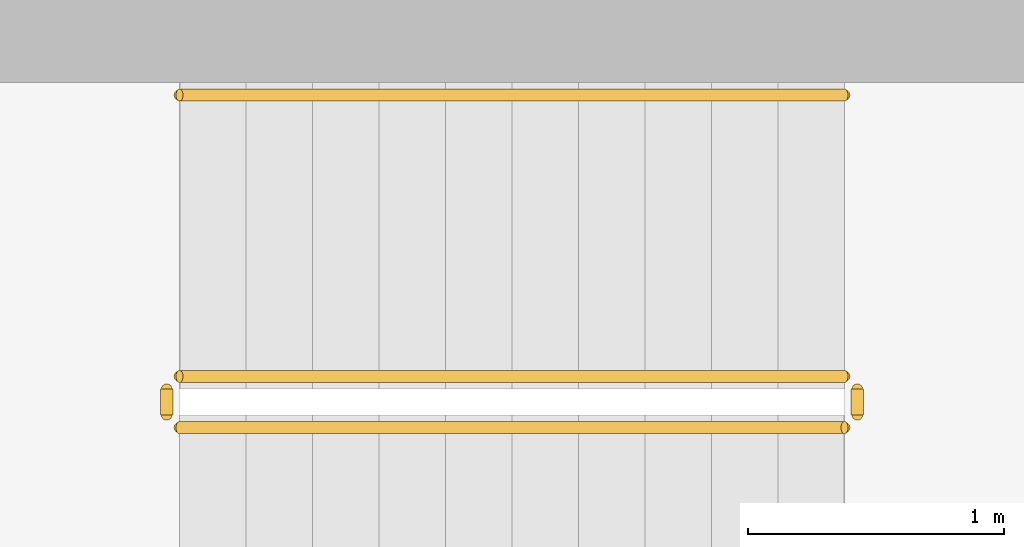
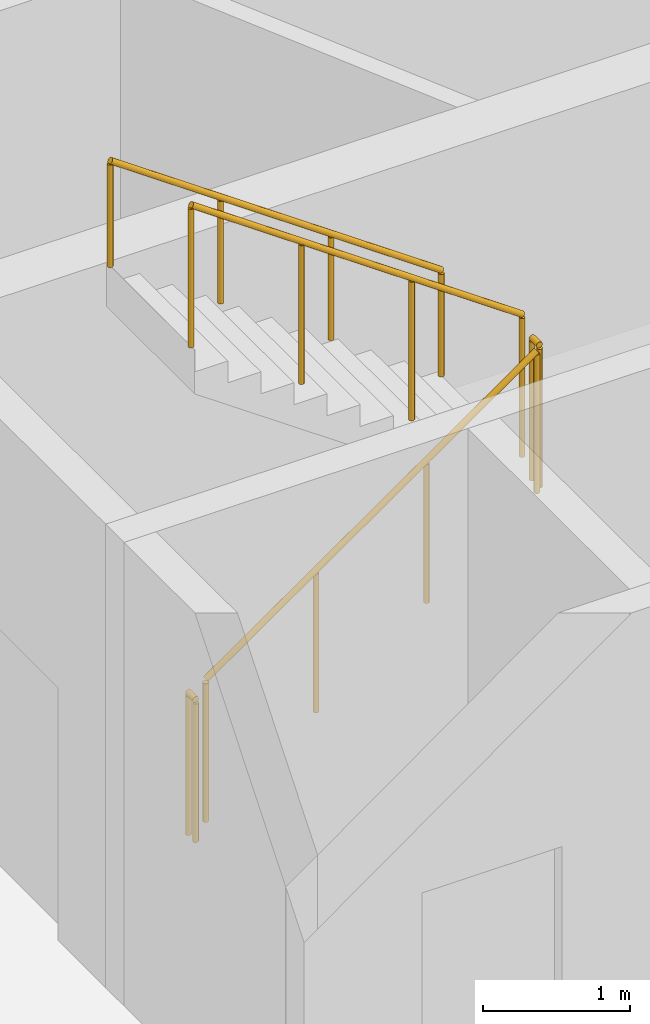
# One storey, part 15 of 18: 5 railings.
"""IFC4 building model written with IfcOpenShell, lengths in metres."""

from ifc_helpers import new_model, si_unit, direction, frame, origin, origin_2d, place, context, subcontext, project, spatial, circle, extrude, material, type_object, element, save


model = new_model("IFC4")

# Units and contexts
model_context = context("Model", 3, precision=1e-05, world=origin(), true_north=direction((0.0, 1.0)))
body_context = subcontext(model_context, "Body", "Model", "MODEL_VIEW")
ifc_project = project(units=[si_unit("LENGTHUNIT", "METRE"), si_unit("AREAUNIT", "SQUARE_METRE"), si_unit("VOLUMEUNIT", "CUBIC_METRE"), si_unit("PLANEANGLEUNIT", "RADIAN"), si_unit("MASSUNIT", "GRAM", prefix="KILO")], contexts=[model_context])

# Site, building, storey
site_placement = place(None, origin())
site = spatial("IfcSite", under=ifc_project, at=site_placement, CompositionType="ELEMENT")
building_placement = place(site_placement, origin())
building = spatial("IfcBuilding", under=site, at=building_placement, Name="Sahrelin Media Tower", CompositionType="ELEMENT")
storey_placement = place(building_placement, frame((0.0, 0.0, 316.39990234375)))
storey = spatial("IfcBuildingStorey", under=building, at=storey_placement, Name="L70", CompositionType="ELEMENT", Elevation=316.39990234375)

# Railings
ifc_material = material(Name="Steel S355", Category="steel")
railing_type_1 = type_object("IfcRailingType", Name="Stair guard 1200", PredefinedType="GUARDRAIL", material=ifc_material)
railing_1_placement = place(storey_placement, frame((-7.675048828125, 5.25, 0.181884765625)))
element("IfcRailing", 1, at=railing_1_placement, inside=storey, type_object=railing_type_1, Name="L70 ST1 stair guard 1", PredefinedType="GUARDRAIL", context=body_context, shape_type="SweptSolid", body=[
    extrude(circle(Radius=0.02392578125, at=origin_2d()), frame((0.0, 0.0, 1.17578125), z_axis=(0.819521025635, 0.0, 0.573049115296), x_axis=(0.0, 1.0, 0.0)), (0.0, 0.0, 1.0), 3.172607421875),
    extrude(circle(Radius=0.02099609375, at=origin_2d()), origin(), (0.0, 0.0, 1.0), 1.15185546875),
    extrude(circle(Radius=0.02099609375, at=origin_2d()), frame((0.86669921875, 0.0, 0.60595703125)), (0.0, 0.0, 1.0), 1.15185546875),
    extrude(circle(Radius=0.02099609375, at=origin_2d()), frame((1.7333984375, 0.0, 1.212158203125)), (0.0, 0.0, 1.0), 1.15185546875),
    extrude(circle(Radius=0.02099609375, at=origin_2d()), frame((2.60009765625, 0.0, 1.818115234375)), (0.0, 0.0, 1.0), 1.15185546875),
])
railing_2_placement = place(storey_placement, frame((-5.02490234375, 5.300048828125, 2.0)))
element("IfcRailing", 2, at=railing_2_placement, inside=storey, type_object=railing_type_1, Name="L70 ST1 stair guard 2", PredefinedType="GUARDRAIL", context=body_context, shape_type="SweptSolid", body=[
    extrude(circle(Radius=0.02392578125, at=origin_2d()), frame((0.0, 0.0, 1.17578125), z_axis=(0.0, 1.0, 0.0), x_axis=(-1.0, 0.0, 0.0)), (0.0, 0.0, 1.0), 0.099853515625),
    extrude(circle(Radius=0.02099609375, at=origin_2d()), origin(), (0.0, 0.0, 1.0), 1.15185546875),
    extrude(circle(Radius=0.02099609375, at=origin_2d()), frame((0.0, 0.099853515625, 0.0)), (0.0, 0.0, 1.0), 1.15185546875),
])
railing_3_placement = place(storey_placement, frame((-5.074951171875, 5.449951171875, 2.181884765625)))
element("IfcRailing", 3, at=railing_3_placement, inside=storey, type_object=railing_type_1, Name="L70 ST1 stair guard 3", PredefinedType="GUARDRAIL", context=body_context, shape_type="SweptSolid", body=[
    extrude(circle(Radius=0.02392578125, at=origin_2d()), frame((0.0, 0.0, 1.17578125), z_axis=(-0.819521025635, 0.0, 0.573049115296), x_axis=(0.0, -1.0, 0.0)), (0.0, 0.0, 1.0), 3.172607421875),
    extrude(circle(Radius=0.02099609375, at=origin_2d()), origin(), (0.0, 0.0, 1.0), 1.15185546875),
    extrude(circle(Radius=0.02099609375, at=origin_2d()), frame((-0.86669921875, 0.0, 0.60595703125)), (0.0, 0.0, 1.0), 1.15185546875),
    extrude(circle(Radius=0.02099609375, at=origin_2d()), frame((-1.7333984375, 0.0, 1.212158203125)), (0.0, 0.0, 1.0), 1.15185546875),
    extrude(circle(Radius=0.02099609375, at=origin_2d()), frame((-2.60009765625, 0.0, 1.818115234375)), (0.0, 0.0, 1.0), 1.15185546875),
])
railing_4_placement = place(storey_placement, frame((-7.72509765625, 5.300048828125, 0.0)))
element("IfcRailing", 4, at=railing_4_placement, inside=storey, type_object=railing_type_1, Name="L70 ST1 stair guard 4", PredefinedType="GUARDRAIL", context=body_context, shape_type="SweptSolid", body=[
    extrude(circle(Radius=0.02392578125, at=origin_2d()), frame((0.0, 0.0, 1.17578125), z_axis=(0.0, 1.0, 0.0), x_axis=(-1.0, 0.0, 0.0)), (0.0, 0.0, 1.0), 0.099853515625),
    extrude(circle(Radius=0.02099609375, at=origin_2d()), origin(), (0.0, 0.0, 1.0), 1.15185546875),
    extrude(circle(Radius=0.02099609375, at=origin_2d()), frame((0.0, 0.099853515625, 0.0)), (0.0, 0.0, 1.0), 1.15185546875),
])
railing_type_2 = type_object("IfcRailingType", Name="Stair handrail 900", PredefinedType="HANDRAIL", material=ifc_material)
railing_5_placement = place(storey_placement, frame((-5.074951171875, 6.550048828125, 2.181884765625)))
element("IfcRailing", 5, at=railing_5_placement, inside=storey, type_object=railing_type_2, Name="L70 ST1 stair handrail 2", PredefinedType="HANDRAIL", context=body_context, shape_type="SweptSolid", body=[
    extrude(circle(Radius=0.02392578125, at=origin_2d()), frame((0.0, 0.0, 0.8759765625), z_axis=(-0.819521025635, 0.0, 0.573049115296), x_axis=(0.0, -1.0, 0.0)), (0.0, 0.0, 1.0), 3.172607421875),
    extrude(circle(Radius=0.02099609375, at=origin_2d()), origin(), (0.0, 0.0, 1.0), 0.851806640625),
    extrude(circle(Radius=0.02099609375, at=origin_2d()), frame((-0.86669921875, 0.0, 0.60595703125)), (0.0, 0.0, 1.0), 0.851806640625),
    extrude(circle(Radius=0.02099609375, at=origin_2d()), frame((-1.7333984375, 0.0, 1.212158203125)), (0.0, 0.0, 1.0), 0.851806640625),
    extrude(circle(Radius=0.02099609375, at=origin_2d()), frame((-2.60009765625, 0.0, 1.818115234375)), (0.0, 0.0, 1.0), 0.851806640625),
])

save(model, "model.ifc")
